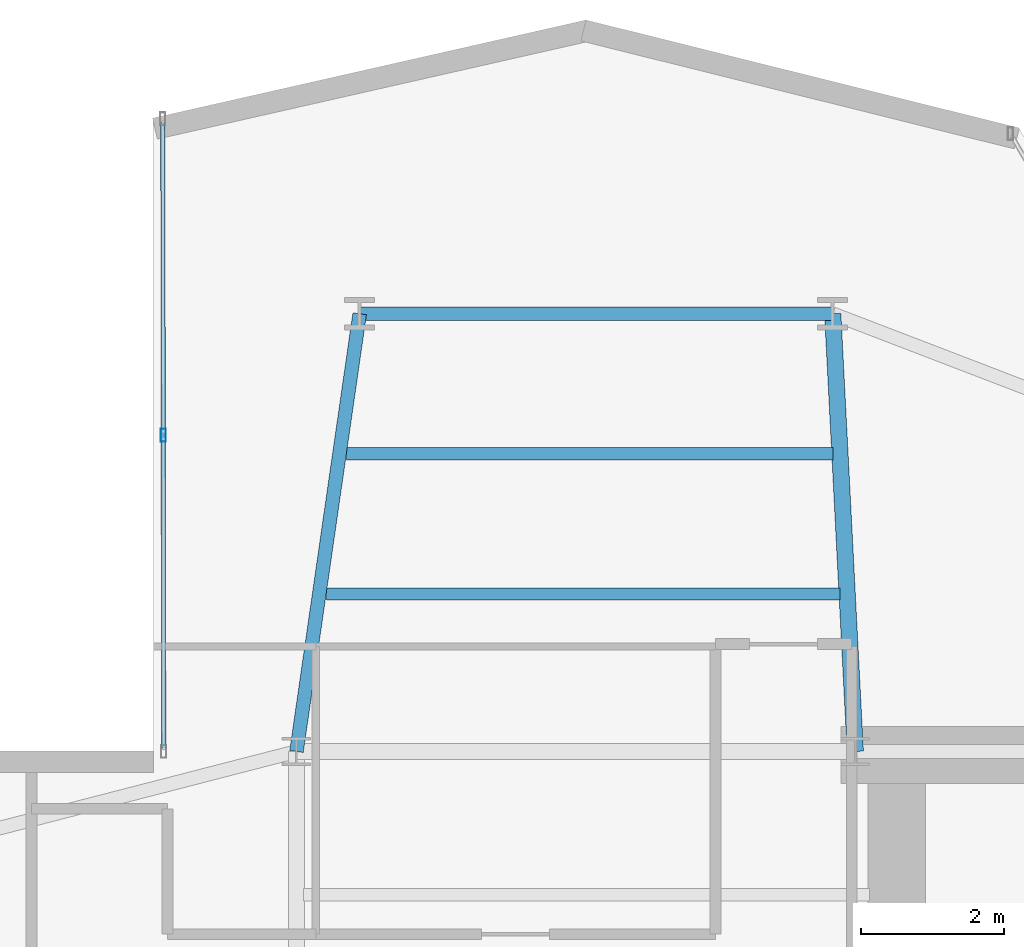
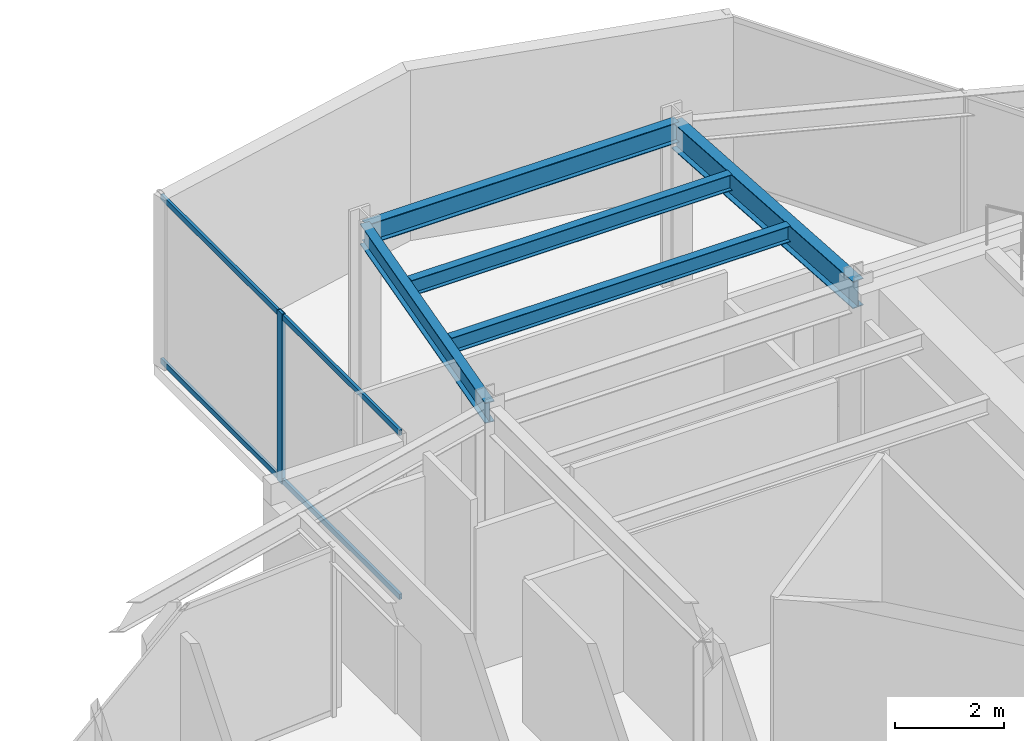
# One storey, part 11 of 25: 5 beams, 3 members, 1 element without a shape of its own.
"""IFC4 building model written with IfcOpenShell, lengths in metres."""

from ifc_helpers import new_model, si_unit, direction, frame, origin, origin_2d, place, context, subcontext, project, spatial, hollow_rectangle, i_section, extrude, material, layer, layer_set, material_profile, profile_set, type_object, element, aggregate, save


model = new_model("IFC4")

# Units and contexts
model_context = context("Model", 3, precision=1e-05, world=origin(), true_north=direction((0.0, 1.0)))
body_context = subcontext(model_context, "Body", "Model", "MODEL_VIEW")
ifc_project = project(units=[si_unit("LENGTHUNIT", "METRE"), si_unit("AREAUNIT", "SQUARE_METRE"), si_unit("VOLUMEUNIT", "CUBIC_METRE"), si_unit("PLANEANGLEUNIT", "RADIAN"), si_unit("MASSUNIT", "GRAM", prefix="KILO")], contexts=[model_context])

# Site, building, storey
site_placement = place(None, origin())
site = spatial("IfcSite", under=ifc_project, at=site_placement, CompositionType="ELEMENT")
building_placement = place(site_placement, origin())
building = spatial("IfcBuilding", under=site, at=building_placement, Name="Veymaron Broadcast Tower", CompositionType="ELEMENT")
storey_placement = place(building_placement, frame((0.0, 0.0, 169.5)))
storey = spatial("IfcBuildingStorey", under=building, at=storey_placement, Name="L39", CompositionType="ELEMENT", Elevation=169.5)

# Beams
ifc_material_1 = material(Name="Structural steel ASTM A992 Gr 50", Category="steel")
ifc_material_profile_1 = material_profile(ifc_material_1, i_section(OverallWidth=0.22802734375, OverallDepth=0.60791015625, WebThickness=0.01123046875, FlangeThickness=0.017333984375, at=origin_2d()), Name="W610X113")
ifc_profile_set_1 = profile_set([ifc_material_profile_1], Name="Structural steel ASTM A992 Gr 50")
beam_type_1 = type_object("IfcBeamType", Name="BM-FG2", PredefinedType="BEAM", material=ifc_profile_set_1)
beam_1_placement = place(storey_placement, frame((39.0, 32.0, 3.506103515625), z_axis=(-0.051475996299, 0.998674232072, 0.0), x_axis=(-0.998674232072, -0.051475996299, 0.0)))
element("IfcBeam", 1, at=beam_1_placement, inside=storey, type_object=beam_type_1, Name="L39 primary structural floor girder", PredefinedType="BEAM", context=body_context, shape_type="SweptSolid", body=[
    extrude(i_section(OverallWidth=0.22802734375, OverallDepth=0.60791015625, WebThickness=0.01123046875, FlangeThickness=0.017333984375, at=origin_2d()), origin(), (0.0, 0.0, 1.0), 6.1181640625),
])
ifc_material_profile_2 = material_profile(ifc_material_1, i_section(OverallWidth=0.1708984375, OverallDepth=0.35498046875, WebThickness=0.007080078125, FlangeThickness=0.01171875, at=origin_2d()), Name="W360X51")
ifc_profile_set_2 = profile_set([ifc_material_profile_2], Name="Structural steel ASTM A992 Gr 50")
beam_type_2 = type_object("IfcBeamType", Name="BM-JS2", PredefinedType="JOIST", material=ifc_profile_set_2)
beam_2_placement = place(storey_placement, frame((31.617431640625, 34.19970703125, 3.632568359375), z_axis=(1.0, 0.0, 0.0), x_axis=(0.0, 1.0, 0.0)))
element("IfcBeam", 2, at=beam_2_placement, inside=storey, type_object=beam_type_2, Name="L39 Arm-B secondary joist 1", PredefinedType="JOIST", context=body_context, shape_type="SweptSolid", body=[
    extrude(i_section(OverallWidth=0.1708984375, OverallDepth=0.35498046875, WebThickness=0.007080078125, FlangeThickness=0.01171875, at=origin_2d()), origin(), (0.0, 0.0, 1.0), 7.169189453125),
])
beam_3_placement = place(storey_placement, frame((31.89990234375, 36.15478515625, 3.632568359375), z_axis=(1.0, 0.0, 0.0), x_axis=(0.0, 1.0, 0.0)))
element("IfcBeam", 3, at=beam_3_placement, inside=storey, type_object=beam_type_2, Name="L39 Arm-B secondary joist 2", PredefinedType="JOIST", context=body_context, shape_type="SweptSolid", body=[
    extrude(i_section(OverallWidth=0.1708984375, OverallDepth=0.35498046875, WebThickness=0.007080078125, FlangeThickness=0.01171875, at=origin_2d()), origin(), (0.0, 0.0, 1.0), 6.785888671875),
])
ifc_material_profile_3 = material_profile(ifc_material_1, i_section(OverallWidth=0.19091796875, OverallDepth=0.4599609375, WebThickness=0.010009765625, FlangeThickness=0.01611328125, at=origin_2d()), Name="W460X82")
ifc_profile_set_3 = profile_set([ifc_material_profile_3], Name="Structural steel ASTM A992 Gr 50")
beam_type_3 = type_object("IfcBeamType", Name="BM-SP1", PredefinedType="SPANDREL", material=ifc_profile_set_3)
beam_4_placement = place(storey_placement, frame((31.199951171875, 32.0, 3.580078125), z_axis=(0.142882854536, 0.989739607109, 0.0), x_axis=(-0.989739607109, 0.142882854536, 0.0)))
element("IfcBeam", 4, at=beam_4_placement, inside=storey, type_object=beam_type_3, Name="L39 primary structural floor girder", PredefinedType="SPANDREL", context=body_context, shape_type="SweptSolid", body=[
    extrude(i_section(OverallWidth=0.19091796875, OverallDepth=0.4599609375, WebThickness=0.010009765625, FlangeThickness=0.01611328125, at=origin_2d()), origin(), (0.0, 0.0, 1.0), 6.17333984375),
])
beam_5_placement = place(storey_placement, frame((32.08203125, 38.110107421875, 3.580078125), z_axis=(1.0, 0.0, 0.0), x_axis=(0.0, 1.0, 0.0)))
element("IfcBeam", 5, at=beam_5_placement, inside=storey, type_object=beam_type_3, Name="L39 primary structural floor girder", PredefinedType="SPANDREL", context=body_context, shape_type="SweptSolid", body=[
    extrude(i_section(OverallWidth=0.19091796875, OverallDepth=0.4599609375, WebThickness=0.010009765625, FlangeThickness=0.01611328125, at=origin_2d()), origin(), (0.0, 0.0, 1.0), 6.60302734375),
])

# Curtain wall, members
ifc_material_2 = material(Name="Anodised aluminium AA 6063-T6 and laminated low-E dark glass", Category="aluminium")
ifc_layer = layer(ifc_material_2, 0.179931640625)
ifc_layer_set = layer_set([ifc_layer], Name="Anodised aluminium AA 6063-T6 and laminated low-E dark glass")
curtain_wall_type = type_object("IfcCurtainWallType", Name="CW-SYS-03", PredefinedType="NOTDEFINED", material=ifc_layer_set)
curtain_wall_placement = place(storey_placement, origin())
curtain_wall = element("IfcCurtainWall", 6, at=curtain_wall_placement, inside=storey, type_object=curtain_wall_type, Name="L39 dark-glass curtain wall CW-L39-E8-1", PredefinedType="NOTDEFINED")
ifc_material_3 = material(Name="Anodised aluminium AA 6063-T6", Category="aluminium")
ifc_material_profile_4 = material_profile(ifc_material_3, hollow_rectangle(XDim=0.074951171875, YDim=0.179931640625, WallThickness=0.0048828125, at=origin_2d()), Name="AL180X75X5")
ifc_profile_set_4 = profile_set([ifc_material_profile_4], Name="Anodised aluminium AA 6063-T6")
member_type_1 = type_object("IfcMemberType", Name="CW-MUL-02", PredefinedType="MULLION", material=ifc_profile_set_4)
member_1_placement = place(storey_placement, frame((29.34033203125, 36.415771484375, 0.0), z_axis=(0.0, 0.0, 1.0), x_axis=(1.0, 0.0, 0.0)))
member_1 = element("IfcMember", 7, at=member_1_placement, type_object=member_type_1, Name="CW-L39-E8-1 mullion 1", PredefinedType="MULLION", context=body_context, shape_type="SweptSolid", body=[
    extrude(hollow_rectangle(XDim=0.074951171875, YDim=0.179931640625, WallThickness=0.0048828125, at=origin_2d()), origin(), (0.0, 0.0, 1.0), 3.81005859375),
])
ifc_material_profile_5 = material_profile(ifc_material_3, hollow_rectangle(XDim=0.06005859375, YDim=0.1201171875, WallThickness=0.00390625, at=origin_2d()), Name="AL120X60X4")
ifc_profile_set_5 = profile_set([ifc_material_profile_5], Name="Anodised aluminium AA 6063-T6")
member_type_2 = type_object("IfcMemberType", Name="CW-TRN-02", PredefinedType="USERDEFINED", material=ifc_profile_set_5)
member_2_placement = place(storey_placement, frame((29.333984375, 40.78125, 0.070068359375), z_axis=(0.001454055842, -0.99999894286, 0.0), x_axis=(0.99999894286, 0.001454055842, 0.0)))
member_2 = element("IfcMember", 8, at=member_2_placement, type_object=member_type_2, Name="CW-L39-E8-1 transom B", ObjectType="TRANSOM", PredefinedType="USERDEFINED", context=body_context, shape_type="SweptSolid", body=[
    extrude(hollow_rectangle(XDim=0.06005859375, YDim=0.1201171875, WallThickness=0.00390625, at=origin_2d()), origin(), (0.0, 0.0, 1.0), 8.73095703125),
])
member_3_placement = place(storey_placement, frame((29.333984375, 40.78125, 3.739990234375), z_axis=(0.001454055842, -0.99999894286, 0.0), x_axis=(0.99999894286, 0.001454055842, 0.0)))
member_3 = element("IfcMember", 9, at=member_3_placement, type_object=member_type_2, Name="CW-L39-E8-1 transom T", ObjectType="TRANSOM", PredefinedType="USERDEFINED", context=body_context, shape_type="SweptSolid", body=[
    extrude(hollow_rectangle(XDim=0.06005859375, YDim=0.1201171875, WallThickness=0.00390625, at=origin_2d()), origin(), (0.0, 0.0, 1.0), 8.73095703125),
])
aggregate(curtain_wall, [member_1, member_2, member_3])

save(model, "model.ifc")
